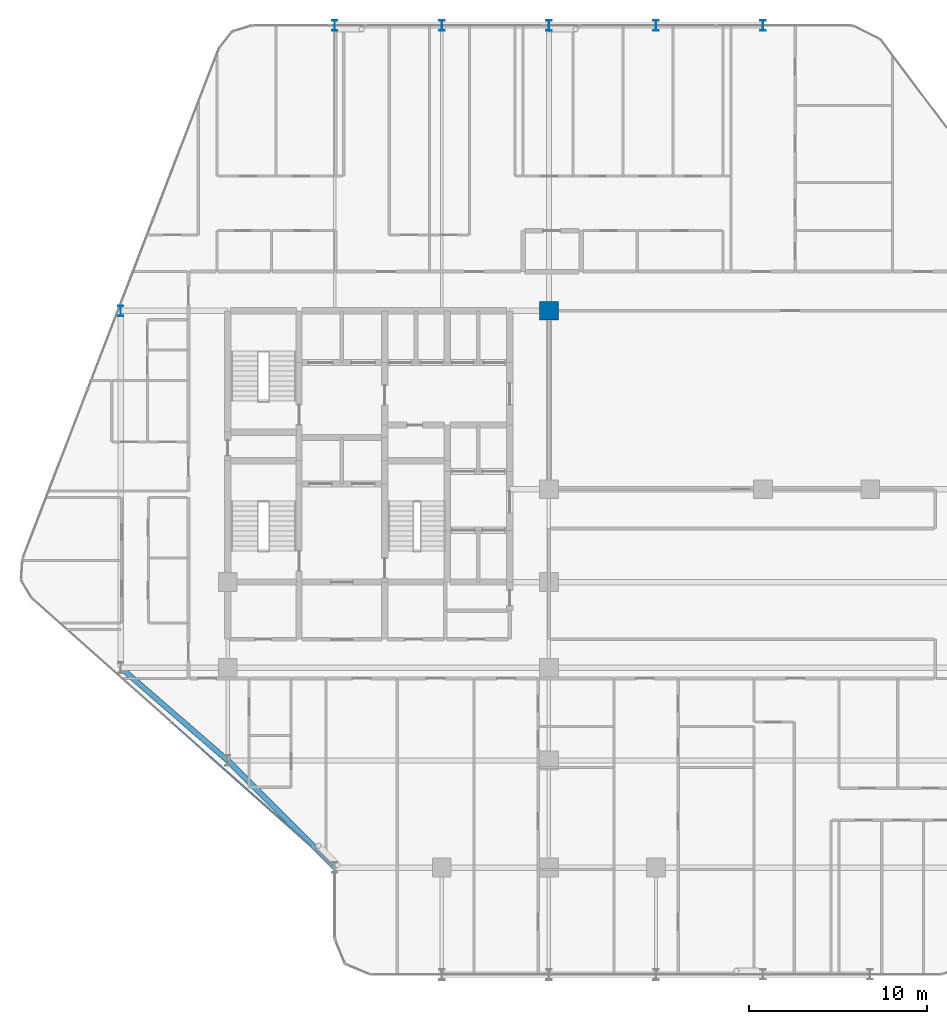
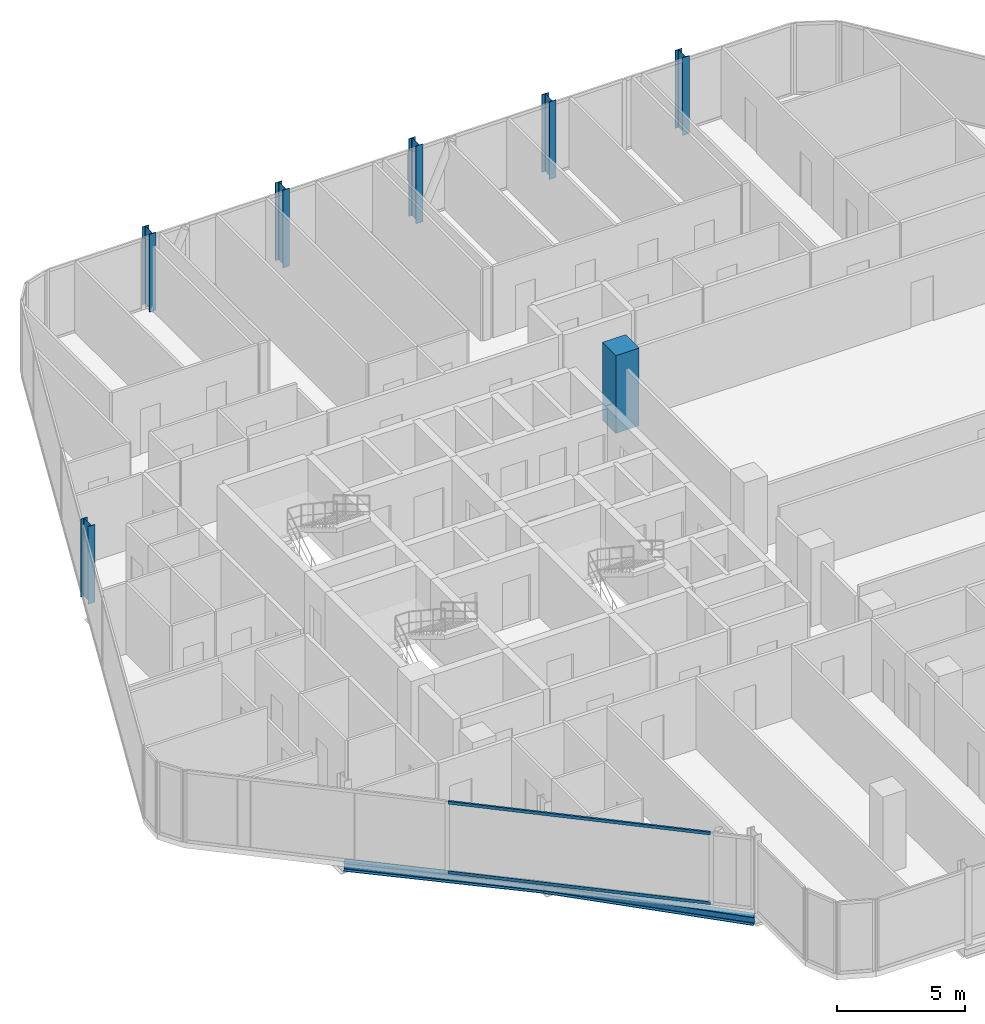
# One storey, part 2 of 30: 7 columns, 2 beams, 2 members, 1 element without a shape of its own.
"""IFC4 building model written with IfcOpenShell, lengths in metres."""

from ifc_helpers import new_model, si_unit, direction, frame, origin, origin_2d, place, context, subcontext, project, spatial, rectangle, hollow_rectangle, i_section, extrude, material, layer, layer_set, material_profile, profile_set, type_object, element, aggregate, save


model = new_model("IFC4")

# Units and contexts
model_context = context("Model", 3, precision=1e-05, world=origin(), true_north=direction((0.0, 1.0)))
body_context = subcontext(model_context, "Body", "Model", "MODEL_VIEW")
ifc_project = project(units=[si_unit("LENGTHUNIT", "METRE"), si_unit("AREAUNIT", "SQUARE_METRE"), si_unit("VOLUMEUNIT", "CUBIC_METRE"), si_unit("PLANEANGLEUNIT", "RADIAN"), si_unit("MASSUNIT", "GRAM", prefix="KILO")], contexts=[model_context])

# Site, building, storey
site_placement = place(None, origin())
site = spatial("IfcSite", under=ifc_project, at=site_placement, CompositionType="ELEMENT")
building_placement = place(site_placement, origin())
building = spatial("IfcBuilding", under=site, at=building_placement, Name="Keshet Zoharim Tower", CompositionType="ELEMENT")
storey_placement = place(building_placement, frame((0.0, 0.0, 113.10009765625)))
storey = spatial("IfcBuildingStorey", under=building, at=storey_placement, Name="L27", CompositionType="ELEMENT", Elevation=113.10009765625)

# Columns
ifc_material_1 = material(Name="Steel S355", Category="steel")
ifc_material_profile_1 = material_profile(ifc_material_1, i_section(OverallWidth=0.300048828125, OverallDepth=0.60009765625, WebThickness=0.015380859375, FlangeThickness=0.030029296875, FilletRadius=0.027099609375, at=origin_2d()), Name="HEB600")
ifc_profile_set_1 = profile_set([ifc_material_profile_1], Name="Steel S355")
column_type_1 = type_object("IfcColumnType", Name="COL-HEB600", PredefinedType="COLUMN", material=ifc_profile_set_1)
for number, where, z_axis, x_axis, name in (
    (1, (9.0, 37.89990234375, 0.0), (0.0, 0.0, 1.0), (1.0, 0.0, 0.0), "L27 Column 2H"),
    (2, (21.0, 53.89990234375, 0.0), (0.0, 0.0, 1.0), (1.0, 0.0, 0.0), "L27 Column 4L"),
    (3, (27.0, 53.89990234375, 0.0), (0.0, 0.0, 1.0), (1.0, 0.0, 0.0), "L27 Column 5L"),
    (4, (33.0, 53.89990234375, 0.0), (0.0, 0.0, 1.0), (1.0, 0.0, 0.0), "L27 Column 6L"),
    (5, (39.0, 53.89990234375, 0.0), (0.0, 0.0, 1.0), (1.0, 0.0, 0.0), "L27 Column 7L"),
    (6, (45.0, 53.89990234375, 0.0), (0.0, 0.0, 1.0), (1.0, 0.0, 0.0), "L27 Column 8L"),
):
    element("IfcColumn", number, at=place(storey_placement, frame(where, z_axis=z_axis, x_axis=x_axis)), inside=storey, type_object=column_type_1, Name=name, PredefinedType="COLUMN", context=body_context, shape_type="SweptSolid", body=[
        extrude(i_section(OverallWidth=0.300048828125, OverallDepth=0.60009765625, WebThickness=0.015380859375, FlangeThickness=0.030029296875, FilletRadius=0.027099609375, at=origin_2d()), origin(), (0.0, 0.0, 1.0), 3.699951171875),
    ])
ifc_material_2 = material(Name="Concrete C60/75", Category="concrete")
ifc_material_profile_2 = material_profile(ifc_material_2, rectangle(XDim=1.050048828125, YDim=1.050048828125, at=origin_2d()), Name="RC1050x1050")
ifc_profile_set_2 = profile_set([ifc_material_profile_2], Name="Concrete C60/75")
column_type_2 = type_object("IfcColumnType", Name="COL-RC1050", PredefinedType="COLUMN", material=ifc_profile_set_2)
column_placement = place(storey_placement, frame((33.0, 37.89990234375, 0.0), z_axis=(0.0, 0.0, 1.0), x_axis=(1.0, 0.0, 0.0)))
element("IfcColumn", 7, at=column_placement, inside=storey, type_object=column_type_2, Name="L27 Column 6H", PredefinedType="COLUMN", context=body_context, shape_type="SweptSolid", body=[
    extrude(rectangle(XDim=1.050048828125, YDim=1.050048828125, at=origin_2d()), origin(), (0.0, 0.0, 1.0), 3.699951171875),
])

# Beams
ifc_material_profile_3 = material_profile(ifc_material_1, i_section(OverallWidth=0.300048828125, OverallDepth=0.39990234375, WebThickness=0.013427734375, FlangeThickness=0.02392578125, FilletRadius=0.027099609375, at=origin_2d()), Name="HEB400")
ifc_profile_set_3 = profile_set([ifc_material_profile_3], Name="Steel S355")
beam_type = type_object("IfcBeamType", Name="BM-SPN-HB400", PredefinedType="SPANDREL", material=ifc_profile_set_3)
beam_1_placement = place(storey_placement, frame((21.0, 6.699951171875, -0.51513671875), z_axis=(-0.707106781187, 0.707106781187, 0.0), x_axis=(-0.707106781187, -0.707106781187, 0.0)))
element("IfcBeam", 8, at=beam_1_placement, inside=storey, type_object=beam_type, Name="L27 Perimeter Spandrel Beam 01", PredefinedType="SPANDREL", context=body_context, shape_type="SweptSolid", body=[
    extrude(i_section(OverallWidth=0.300048828125, OverallDepth=0.39990234375, WebThickness=0.013427734375, FlangeThickness=0.02392578125, FilletRadius=0.027099609375, at=origin_2d()), origin(), (0.0, 0.0, 1.0), 8.4853515625),
])
beam_2_placement = place(storey_placement, frame((9.0, 17.89990234375, -0.51513671875), z_axis=(0.755692126483, -0.654927026447, 0.0), x_axis=(0.654927026447, 0.755692126483, 0.0)))
element("IfcBeam", 9, at=beam_2_placement, inside=storey, type_object=beam_type, Name="L27 Perimeter Spandrel Beam 02", PredefinedType="SPANDREL", context=body_context, shape_type="SweptSolid", body=[
    extrude(i_section(OverallWidth=0.300048828125, OverallDepth=0.39990234375, WebThickness=0.013427734375, FlangeThickness=0.02392578125, FilletRadius=0.027099609375, at=origin_2d()), origin(), (0.0, 0.0, 1.0), 7.939697265625),
])

# Curtain wall, members
ifc_material_3 = material(Name="Aluminium 6063-T6", Category="aluminium")
ifc_layer = layer(ifc_material_3, 0.159912109375)
ifc_layer_set = layer_set([ifc_layer], Name="Aluminium 6063-T6")
curtain_wall_type = type_object("IfcCurtainWallType", Name="CW-SYS-03", PredefinedType="NOTDEFINED", material=ifc_layer_set)
curtain_wall_placement = place(storey_placement, origin())
curtain_wall = element("IfcCurtainWall", 10, at=curtain_wall_placement, inside=storey, type_object=curtain_wall_type, Name="L27 Unitised Curtain Wall 07 Part 2", PredefinedType="NOTDEFINED")
ifc_material_profile_4 = material_profile(ifc_material_3, hollow_rectangle(XDim=0.080078125, YDim=0.139892578125, WallThickness=0.00390625, at=origin_2d()), Name="TRN-80x140")
ifc_profile_set_4 = profile_set([ifc_material_profile_4], Name="Aluminium 6063-T6")
member_type = type_object("IfcMemberType", Name="CWT-T14", PredefinedType="USERDEFINED", material=ifc_profile_set_4)
member_1_placement = place(storey_placement, frame((19.6953125, 7.85986328125, 0.034912109375), z_axis=(-0.747413188834, 0.664359484885, 0.0), x_axis=(-0.664359484885, -0.747413188834, 0.0)))
member_1 = element("IfcMember", 11, at=member_1_placement, type_object=member_type, Name="CW-03 transom 1.1", ObjectType="TRANSOM", PredefinedType="USERDEFINED", context=body_context, shape_type="SweptSolid", body=[
    extrude(hollow_rectangle(XDim=0.080078125, YDim=0.139892578125, WallThickness=0.00390625, at=origin_2d()), origin(), (0.0, 0.0, 1.0), 10.44140625),
])
member_2_placement = place(storey_placement, frame((19.6953125, 7.85986328125, 3.349853515625), z_axis=(-0.747413188834, 0.664359484885, 0.0), x_axis=(-0.664359484885, -0.747413188834, 0.0)))
member_2 = element("IfcMember", 12, at=member_2_placement, type_object=member_type, Name="CW-03 transom 1.2", ObjectType="TRANSOM", PredefinedType="USERDEFINED", context=body_context, shape_type="SweptSolid", body=[
    extrude(hollow_rectangle(XDim=0.080078125, YDim=0.139892578125, WallThickness=0.00390625, at=origin_2d()), origin(), (0.0, 0.0, 1.0), 10.44140625),
])
aggregate(curtain_wall, [member_1, member_2])

save(model, "model.ifc")
